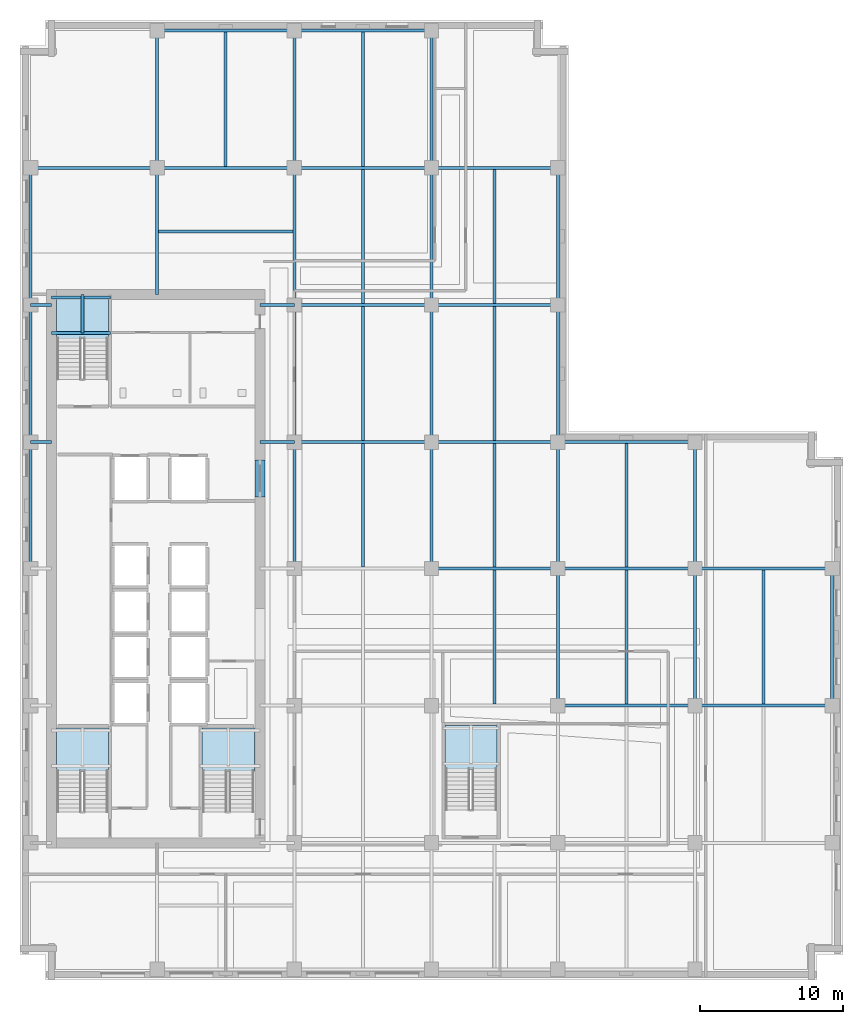
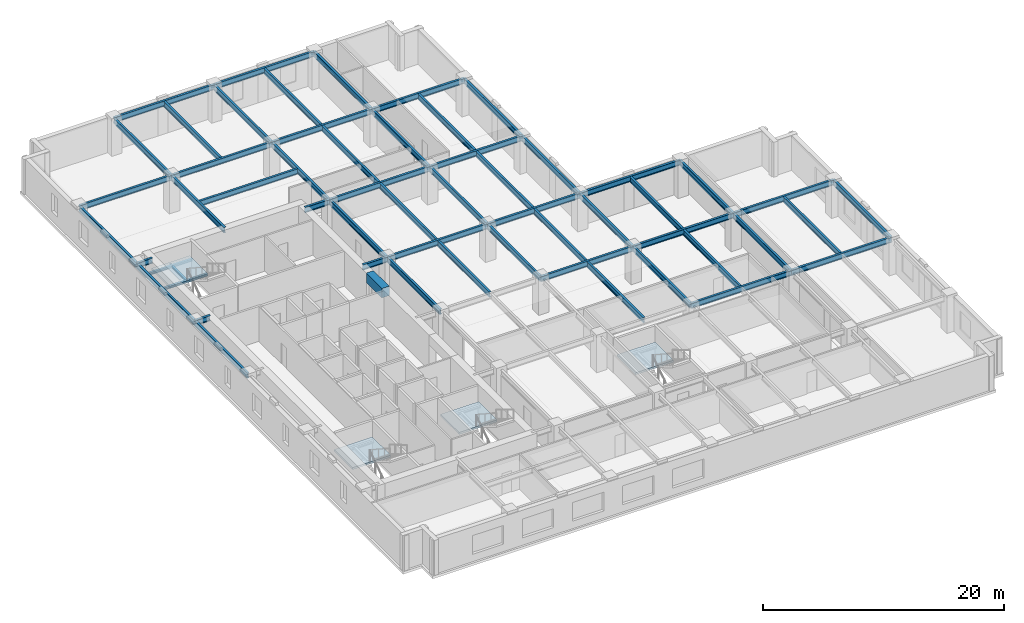
# One storey, part 2 of 12: 57 beams, 4 slabs, 4 elements without a shape of their own.
"""IFC4 building model written with IfcOpenShell, lengths in metres."""

from ifc_helpers import new_model, si_unit, direction, frame, origin, origin_2d, place, context, subcontext, project, spatial, polyline, rectangle, i_section, outline, extrude, material, layer, layer_set, material_profile, profile_set, type_object, element, aggregate, save


model = new_model("IFC4")

# Units and contexts
model_context = context("Model", 3, precision=1e-05, world=origin(), true_north=direction((0.0, 1.0)))
body_context = subcontext(model_context, "Body", "Model", "MODEL_VIEW")
ifc_project = project(units=[si_unit("LENGTHUNIT", "METRE"), si_unit("AREAUNIT", "SQUARE_METRE"), si_unit("VOLUMEUNIT", "CUBIC_METRE"), si_unit("PLANEANGLEUNIT", "RADIAN"), si_unit("MASSUNIT", "GRAM", prefix="KILO")], contexts=[model_context])

# Site, building, storey
site_placement = place(None, origin())
site = spatial("IfcSite", under=ifc_project, at=site_placement, CompositionType="ELEMENT")
building_placement = place(site_placement, origin())
building = spatial("IfcBuilding", under=site, at=building_placement, Name="Norrvale University Quadrangle", CompositionType="ELEMENT")
storey_placement = place(building_placement, frame((0.0, 0.0, 139.39990234375)))
storey = spatial("IfcBuildingStorey", under=building, at=storey_placement, Name="L35", CompositionType="ELEMENT", Elevation=139.39990234375)

# Beams
ifc_material_1 = material(Name="Concrete C80/95", Category="concrete")
ifc_material_profile_1 = material_profile(ifc_material_1, rectangle(XDim=0.699951171875, YDim=0.949951171875, at=origin_2d()), Name="Concrete C80/95")
ifc_profile_set_1 = profile_set([ifc_material_profile_1], Name="Concrete C80/95")
beam_type_1 = type_object("IfcBeamType", Name="Beam Core Link 700x950", PredefinedType="LINTEL", material=ifc_profile_set_1)
beam_1_placement = place(storey_placement, frame((16.800048828125, 33.800048828125, 3.065185546875), z_axis=(0.0, 1.0, 0.0), x_axis=(-1.0, 0.0, 0.0)))
element("IfcBeam", 1, at=beam_1_placement, inside=storey, type_object=beam_type_1, Name="Core Coupling Lintel Beam L35-2", PredefinedType="LINTEL", context=body_context, shape_type="SweptSolid", body=[
    extrude(rectangle(XDim=0.699951171875, YDim=0.949951171875, at=origin_2d()), origin(), (0.0, 0.0, 1.0), 2.599853515625),
])
ifc_material_2 = material(Name="Steel 350W", Category="steel")
ifc_material_profile_2 = material_profile(ifc_material_2, i_section(OverallWidth=0.2119140625, OverallDepth=0.5439453125, WebThickness=0.01318359375, FlangeThickness=0.021240234375, FilletRadius=0.013916015625, at=origin_2d()), Name="Steel 350W")
ifc_profile_set_2 = profile_set([ifc_material_profile_2], Name="Steel 350W")
beam_type_2 = type_object("IfcBeamType", Name="Beam Floor W530x123", PredefinedType="BEAM", material=ifc_profile_set_2)
for number, where, z_axis, x_axis, name in (
    (2, (37.64990234375, 19.199951171875, 3.26806640625), (1.0, 0.0, 0.0), (0.0, 1.0, 0.0), "Beam Floor W530x123 BM-L35-GX011"),
    (3, (47.25, 19.199951171875, 3.26806640625), (1.0, 0.0, 0.0), (0.0, 1.0, 0.0), "Beam Floor W530x123 BM-L35-GX012"),
):
    element("IfcBeam", number, at=place(storey_placement, frame(where, z_axis=z_axis, x_axis=x_axis)), inside=storey, type_object=beam_type_2, Name=name, PredefinedType="BEAM", context=body_context, shape_type="SweptSolid", body=[
        extrude(i_section(OverallWidth=0.2119140625, OverallDepth=0.5439453125, WebThickness=0.01318359375, FlangeThickness=0.021240234375, FilletRadius=0.013916015625, at=origin_2d()), origin(), (0.0, 0.0, 1.0), 9.60009765625),
    ])
beam_2_placement = place(storey_placement, frame((28.800048828125, 28.800048828125, 3.26806640625), z_axis=(1.0, 0.0, 0.0), x_axis=(0.0, 1.0, 0.0)))
element("IfcBeam", 4, at=beam_2_placement, inside=storey, type_object=beam_type_2, Name="Beam Floor W530x123 BM-L35-GX014", PredefinedType="BEAM", context=body_context, shape_type="SweptSolid", body=[
    extrude(i_section(OverallWidth=0.2119140625, OverallDepth=0.5439453125, WebThickness=0.01318359375, FlangeThickness=0.021240234375, FilletRadius=0.013916015625, at=origin_2d()), origin(), (0.0, 0.0, 1.0), 8.849853515625),
])
for number, where, z_axis, x_axis, name in (
    (5, (37.64990234375, 28.800048828125, 3.26806640625), (1.0, 0.0, 0.0), (0.0, 1.0, 0.0), "Beam Floor W530x123 BM-L35-GX015"),
    (6, (47.25, 28.800048828125, 3.26806640625), (1.0, 0.0, 0.0), (0.0, 1.0, 0.0), "Beam Floor W530x123 BM-L35-GX016"),
    (7, (19.199951171875, 37.64990234375, 3.26806640625), (1.0, 0.0, 0.0), (0.0, 1.0, 0.0), "Beam Floor W530x123 BM-L35-GX017"),
):
    element("IfcBeam", number, at=place(storey_placement, frame(where, z_axis=z_axis, x_axis=x_axis)), inside=storey, type_object=beam_type_2, Name=name, PredefinedType="BEAM", context=body_context, shape_type="SweptSolid", body=[
        extrude(i_section(OverallWidth=0.2119140625, OverallDepth=0.5439453125, WebThickness=0.01318359375, FlangeThickness=0.021240234375, FilletRadius=0.013916015625, at=origin_2d()), origin(), (0.0, 0.0, 1.0), 9.60009765625),
    ])
beam_3_placement = place(storey_placement, frame((28.800048828125, 37.64990234375, 3.26806640625), z_axis=(1.0, 0.0, 0.0), x_axis=(0.0, 1.0, 0.0)))
element("IfcBeam", 8, at=beam_3_placement, inside=storey, type_object=beam_type_2, Name="Beam Floor W530x123 BM-L35-GX018", PredefinedType="BEAM", context=body_context, shape_type="SweptSolid", body=[
    extrude(i_section(OverallWidth=0.2119140625, OverallDepth=0.5439453125, WebThickness=0.01318359375, FlangeThickness=0.021240234375, FilletRadius=0.013916015625, at=origin_2d()), origin(), (0.0, 0.0, 1.0), 8.849853515625),
])
for number, where, z_axis, x_axis, name in (
    (9, (37.64990234375, 37.64990234375, 3.26806640625), (1.0, 0.0, 0.0), (0.0, 1.0, 0.0), "Beam Floor W530x123 BM-L35-GX019"),
    (10, (19.199951171875, 47.25, 3.26806640625), (1.0, 0.0, 0.0), (0.0, 1.0, 0.0), "Beam Floor W530x123 BM-L35-GX020"),
):
    element("IfcBeam", number, at=place(storey_placement, frame(where, z_axis=z_axis, x_axis=x_axis)), inside=storey, type_object=beam_type_2, Name=name, PredefinedType="BEAM", context=body_context, shape_type="SweptSolid", body=[
        extrude(i_section(OverallWidth=0.2119140625, OverallDepth=0.5439453125, WebThickness=0.01318359375, FlangeThickness=0.021240234375, FilletRadius=0.013916015625, at=origin_2d()), origin(), (0.0, 0.0, 1.0), 9.60009765625),
    ])
beam_4_placement = place(storey_placement, frame((28.800048828125, 47.25, 3.26806640625), z_axis=(1.0, 0.0, 0.0), x_axis=(0.0, 1.0, 0.0)))
element("IfcBeam", 11, at=beam_4_placement, inside=storey, type_object=beam_type_2, Name="Beam Floor W530x123 BM-L35-GX021", PredefinedType="BEAM", context=body_context, shape_type="SweptSolid", body=[
    extrude(i_section(OverallWidth=0.2119140625, OverallDepth=0.5439453125, WebThickness=0.01318359375, FlangeThickness=0.021240234375, FilletRadius=0.013916015625, at=origin_2d()), origin(), (0.0, 0.0, 1.0), 8.849853515625),
])
beam_5_placement = place(storey_placement, frame((0.75, 56.85009765625, 3.26806640625), z_axis=(1.0, 0.0, 0.0), x_axis=(0.0, 1.0, 0.0)))
element("IfcBeam", 12, at=beam_5_placement, inside=storey, type_object=beam_type_2, Name="Beam Floor W530x123 BM-L35-GX022", PredefinedType="BEAM", context=body_context, shape_type="SweptSolid", body=[
    extrude(i_section(OverallWidth=0.2119140625, OverallDepth=0.5439453125, WebThickness=0.01318359375, FlangeThickness=0.021240234375, FilletRadius=0.013916015625, at=origin_2d()), origin(), (0.0, 0.0, 1.0), 8.85009765625),
])
beam_6_placement = place(storey_placement, frame((9.60009765625, 56.85009765625, 3.26806640625), z_axis=(1.0, 0.0, 0.0), x_axis=(0.0, 1.0, 0.0)))
element("IfcBeam", 13, at=beam_6_placement, inside=storey, type_object=beam_type_2, Name="Beam Floor W530x123 BM-L35-GX023", PredefinedType="BEAM", context=body_context, shape_type="SweptSolid", body=[
    extrude(i_section(OverallWidth=0.2119140625, OverallDepth=0.5439453125, WebThickness=0.01318359375, FlangeThickness=0.021240234375, FilletRadius=0.013916015625, at=origin_2d()), origin(), (0.0, 0.0, 1.0), 9.599853515625),
])
beam_7_placement = place(storey_placement, frame((19.199951171875, 56.85009765625, 3.26806640625), z_axis=(1.0, 0.0, 0.0), x_axis=(0.0, 1.0, 0.0)))
element("IfcBeam", 14, at=beam_7_placement, inside=storey, type_object=beam_type_2, Name="Beam Floor W530x123 BM-L35-GX024", PredefinedType="BEAM", context=body_context, shape_type="SweptSolid", body=[
    extrude(i_section(OverallWidth=0.2119140625, OverallDepth=0.5439453125, WebThickness=0.01318359375, FlangeThickness=0.021240234375, FilletRadius=0.013916015625, at=origin_2d()), origin(), (0.0, 0.0, 1.0), 9.60009765625),
])
beam_8_placement = place(storey_placement, frame((28.800048828125, 56.85009765625, 3.26806640625), z_axis=(1.0, 0.0, 0.0), x_axis=(0.0, 1.0, 0.0)))
element("IfcBeam", 15, at=beam_8_placement, inside=storey, type_object=beam_type_2, Name="Beam Floor W530x123 BM-L35-GX025", PredefinedType="BEAM", context=body_context, shape_type="SweptSolid", body=[
    extrude(i_section(OverallWidth=0.2119140625, OverallDepth=0.5439453125, WebThickness=0.01318359375, FlangeThickness=0.021240234375, FilletRadius=0.013916015625, at=origin_2d()), origin(), (0.0, 0.0, 1.0), 8.849853515625),
])
beam_9_placement = place(storey_placement, frame((9.60009765625, 66.449951171875, 3.26806640625), z_axis=(1.0, 0.0, 0.0), x_axis=(0.0, 1.0, 0.0)))
element("IfcBeam", 16, at=beam_9_placement, inside=storey, type_object=beam_type_2, Name="Beam Floor W530x123 BM-L35-GX026", PredefinedType="BEAM", context=body_context, shape_type="SweptSolid", body=[
    extrude(i_section(OverallWidth=0.2119140625, OverallDepth=0.5439453125, WebThickness=0.01318359375, FlangeThickness=0.021240234375, FilletRadius=0.013916015625, at=origin_2d()), origin(), (0.0, 0.0, 1.0), 9.599853515625),
])
beam_10_placement = place(storey_placement, frame((19.199951171875, 66.449951171875, 3.26806640625), z_axis=(1.0, 0.0, 0.0), x_axis=(0.0, 1.0, 0.0)))
element("IfcBeam", 17, at=beam_10_placement, inside=storey, type_object=beam_type_2, Name="Beam Floor W530x123 BM-L35-GX027", PredefinedType="BEAM", context=body_context, shape_type="SweptSolid", body=[
    extrude(i_section(OverallWidth=0.2119140625, OverallDepth=0.5439453125, WebThickness=0.01318359375, FlangeThickness=0.021240234375, FilletRadius=0.013916015625, at=origin_2d()), origin(), (0.0, 0.0, 1.0), 9.60009765625),
])
beam_11_placement = place(storey_placement, frame((0.75, 28.800048828125, 3.26806640625), z_axis=(0.0, 1.0, 0.0), x_axis=(-1.0, 0.0, 0.0)))
element("IfcBeam", 18, at=beam_11_placement, inside=storey, type_object=beam_type_2, Name="Beam Floor W530x123 BM-L35-GY030", PredefinedType="BEAM", context=body_context, shape_type="SweptSolid", body=[
    extrude(i_section(OverallWidth=0.2119140625, OverallDepth=0.5439453125, WebThickness=0.01318359375, FlangeThickness=0.021240234375, FilletRadius=0.013916015625, at=origin_2d()), origin(), (0.0, 0.0, 1.0), 8.849853515625),
])
for number, where, z_axis, x_axis, name in (
    (19, (0.75, 37.64990234375, 3.26806640625), (0.0, 1.0, 0.0), (-1.0, 0.0, 0.0), "Beam Floor W530x123 BM-L35-GY031"),
    (20, (0.75, 47.25, 3.26806640625), (0.0, 1.0, 0.0), (-1.0, 0.0, 0.0), "Beam Floor W530x123 BM-L35-GY032"),
):
    element("IfcBeam", number, at=place(storey_placement, frame(where, z_axis=z_axis, x_axis=x_axis)), inside=storey, type_object=beam_type_2, Name=name, PredefinedType="BEAM", context=body_context, shape_type="SweptSolid", body=[
        extrude(i_section(OverallWidth=0.2119140625, OverallDepth=0.5439453125, WebThickness=0.01318359375, FlangeThickness=0.021240234375, FilletRadius=0.013916015625, at=origin_2d()), origin(), (0.0, 0.0, 1.0), 9.60009765625),
    ])
beam_12_placement = place(storey_placement, frame((9.60009765625, 56.85009765625, 3.26806640625), z_axis=(0.0, 1.0, 0.0), x_axis=(-1.0, 0.0, 0.0)))
element("IfcBeam", 21, at=beam_12_placement, inside=storey, type_object=beam_type_2, Name="Beam Floor W530x123 BM-L35-GY033", PredefinedType="BEAM", context=body_context, shape_type="SweptSolid", body=[
    extrude(i_section(OverallWidth=0.2119140625, OverallDepth=0.5439453125, WebThickness=0.01318359375, FlangeThickness=0.021240234375, FilletRadius=0.013916015625, at=origin_2d()), origin(), (0.0, 0.0, 1.0), 9.599853515625),
])
beam_13_placement = place(storey_placement, frame((19.199951171875, 28.800048828125, 3.26806640625), z_axis=(0.0, 1.0, 0.0), x_axis=(-1.0, 0.0, 0.0)))
element("IfcBeam", 22, at=beam_13_placement, inside=storey, type_object=beam_type_2, Name="Beam Floor W530x123 BM-L35-GY037", PredefinedType="BEAM", context=body_context, shape_type="SweptSolid", body=[
    extrude(i_section(OverallWidth=0.2119140625, OverallDepth=0.5439453125, WebThickness=0.01318359375, FlangeThickness=0.021240234375, FilletRadius=0.013916015625, at=origin_2d()), origin(), (0.0, 0.0, 1.0), 8.849853515625),
])
for number, where, z_axis, x_axis, name in (
    (23, (19.199951171875, 37.64990234375, 3.26806640625), (0.0, 1.0, 0.0), (-1.0, 0.0, 0.0), "Beam Floor W530x123 BM-L35-GY038"),
    (24, (19.199951171875, 47.25, 3.26806640625), (0.0, 1.0, 0.0), (-1.0, 0.0, 0.0), "Beam Floor W530x123 BM-L35-GY039"),
):
    element("IfcBeam", number, at=place(storey_placement, frame(where, z_axis=z_axis, x_axis=x_axis)), inside=storey, type_object=beam_type_2, Name=name, PredefinedType="BEAM", context=body_context, shape_type="SweptSolid", body=[
        extrude(i_section(OverallWidth=0.2119140625, OverallDepth=0.5439453125, WebThickness=0.01318359375, FlangeThickness=0.021240234375, FilletRadius=0.013916015625, at=origin_2d()), origin(), (0.0, 0.0, 1.0), 9.60009765625),
    ])
beam_14_placement = place(storey_placement, frame((19.199951171875, 56.85009765625, 3.26806640625), z_axis=(0.0, 1.0, 0.0), x_axis=(-1.0, 0.0, 0.0)))
element("IfcBeam", 25, at=beam_14_placement, inside=storey, type_object=beam_type_2, Name="Beam Floor W530x123 BM-L35-GY040", PredefinedType="BEAM", context=body_context, shape_type="SweptSolid", body=[
    extrude(i_section(OverallWidth=0.2119140625, OverallDepth=0.5439453125, WebThickness=0.01318359375, FlangeThickness=0.021240234375, FilletRadius=0.013916015625, at=origin_2d()), origin(), (0.0, 0.0, 1.0), 9.599853515625),
])
beam_15_placement = place(storey_placement, frame((28.800048828125, 28.800048828125, 3.26806640625), z_axis=(0.0, 1.0, 0.0), x_axis=(-1.0, 0.0, 0.0)))
element("IfcBeam", 26, at=beam_15_placement, inside=storey, type_object=beam_type_2, Name="Beam Floor W530x123 BM-L35-GY044", PredefinedType="BEAM", context=body_context, shape_type="SweptSolid", body=[
    extrude(i_section(OverallWidth=0.2119140625, OverallDepth=0.5439453125, WebThickness=0.01318359375, FlangeThickness=0.021240234375, FilletRadius=0.013916015625, at=origin_2d()), origin(), (0.0, 0.0, 1.0), 8.849853515625),
])
for number, where, z_axis, x_axis, name in (
    (27, (28.800048828125, 37.64990234375, 3.26806640625), (0.0, 1.0, 0.0), (-1.0, 0.0, 0.0), "Beam Floor W530x123 BM-L35-GY045"),
    (28, (28.800048828125, 47.25, 3.26806640625), (0.0, 1.0, 0.0), (-1.0, 0.0, 0.0), "Beam Floor W530x123 BM-L35-GY046"),
):
    element("IfcBeam", number, at=place(storey_placement, frame(where, z_axis=z_axis, x_axis=x_axis)), inside=storey, type_object=beam_type_2, Name=name, PredefinedType="BEAM", context=body_context, shape_type="SweptSolid", body=[
        extrude(i_section(OverallWidth=0.2119140625, OverallDepth=0.5439453125, WebThickness=0.01318359375, FlangeThickness=0.021240234375, FilletRadius=0.013916015625, at=origin_2d()), origin(), (0.0, 0.0, 1.0), 9.60009765625),
    ])
beam_16_placement = place(storey_placement, frame((28.800048828125, 56.85009765625, 3.26806640625), z_axis=(0.0, 1.0, 0.0), x_axis=(-1.0, 0.0, 0.0)))
element("IfcBeam", 29, at=beam_16_placement, inside=storey, type_object=beam_type_2, Name="Beam Floor W530x123 BM-L35-GY047", PredefinedType="BEAM", context=body_context, shape_type="SweptSolid", body=[
    extrude(i_section(OverallWidth=0.2119140625, OverallDepth=0.5439453125, WebThickness=0.01318359375, FlangeThickness=0.021240234375, FilletRadius=0.013916015625, at=origin_2d()), origin(), (0.0, 0.0, 1.0), 9.599853515625),
])
beam_17_placement = place(storey_placement, frame((37.64990234375, 19.199951171875, 3.26806640625), z_axis=(0.0, 1.0, 0.0), x_axis=(-1.0, 0.0, 0.0)))
element("IfcBeam", 30, at=beam_17_placement, inside=storey, type_object=beam_type_2, Name="Beam Floor W530x123 BM-L35-GY050", PredefinedType="BEAM", context=body_context, shape_type="SweptSolid", body=[
    extrude(i_section(OverallWidth=0.2119140625, OverallDepth=0.5439453125, WebThickness=0.01318359375, FlangeThickness=0.021240234375, FilletRadius=0.013916015625, at=origin_2d()), origin(), (0.0, 0.0, 1.0), 9.60009765625),
])
beam_18_placement = place(storey_placement, frame((37.64990234375, 28.800048828125, 3.26806640625), z_axis=(0.0, 1.0, 0.0), x_axis=(-1.0, 0.0, 0.0)))
element("IfcBeam", 31, at=beam_18_placement, inside=storey, type_object=beam_type_2, Name="Beam Floor W530x123 BM-L35-GY051", PredefinedType="BEAM", context=body_context, shape_type="SweptSolid", body=[
    extrude(i_section(OverallWidth=0.2119140625, OverallDepth=0.5439453125, WebThickness=0.01318359375, FlangeThickness=0.021240234375, FilletRadius=0.013916015625, at=origin_2d()), origin(), (0.0, 0.0, 1.0), 8.849853515625),
])
for number, where, z_axis, x_axis, name in (
    (32, (37.64990234375, 37.64990234375, 3.26806640625), (0.0, 1.0, 0.0), (-1.0, 0.0, 0.0), "Beam Floor W530x123 BM-L35-GY052"),
    (33, (37.64990234375, 47.25, 3.26806640625), (0.0, 1.0, 0.0), (-1.0, 0.0, 0.0), "Beam Floor W530x123 BM-L35-GY053"),
    (34, (47.25, 19.199951171875, 3.26806640625), (0.0, 1.0, 0.0), (-1.0, 0.0, 0.0), "Beam Floor W530x123 BM-L35-GY056"),
):
    element("IfcBeam", number, at=place(storey_placement, frame(where, z_axis=z_axis, x_axis=x_axis)), inside=storey, type_object=beam_type_2, Name=name, PredefinedType="BEAM", context=body_context, shape_type="SweptSolid", body=[
        extrude(i_section(OverallWidth=0.2119140625, OverallDepth=0.5439453125, WebThickness=0.01318359375, FlangeThickness=0.021240234375, FilletRadius=0.013916015625, at=origin_2d()), origin(), (0.0, 0.0, 1.0), 9.60009765625),
    ])
beam_19_placement = place(storey_placement, frame((47.25, 28.800048828125, 3.26806640625), z_axis=(0.0, 1.0, 0.0), x_axis=(-1.0, 0.0, 0.0)))
element("IfcBeam", 35, at=beam_19_placement, inside=storey, type_object=beam_type_2, Name="Beam Floor W530x123 BM-L35-GY057", PredefinedType="BEAM", context=body_context, shape_type="SweptSolid", body=[
    extrude(i_section(OverallWidth=0.2119140625, OverallDepth=0.5439453125, WebThickness=0.01318359375, FlangeThickness=0.021240234375, FilletRadius=0.013916015625, at=origin_2d()), origin(), (0.0, 0.0, 1.0), 8.849853515625),
])
beam_20_placement = place(storey_placement, frame((56.85009765625, 19.199951171875, 3.26806640625), z_axis=(0.0, 1.0, 0.0), x_axis=(-1.0, 0.0, 0.0)))
element("IfcBeam", 36, at=beam_20_placement, inside=storey, type_object=beam_type_2, Name="Beam Floor W530x123 BM-L35-GY059", PredefinedType="BEAM", context=body_context, shape_type="SweptSolid", body=[
    extrude(i_section(OverallWidth=0.2119140625, OverallDepth=0.5439453125, WebThickness=0.01318359375, FlangeThickness=0.021240234375, FilletRadius=0.013916015625, at=origin_2d()), origin(), (0.0, 0.0, 1.0), 9.60009765625),
])
beam_21_placement = place(storey_placement, frame((0.75, 37.64990234375, 3.26806640625), z_axis=(1.0, 0.0, 0.0), x_axis=(0.0, 1.0, 0.0)))
element("IfcBeam", 37, at=beam_21_placement, inside=storey, type_object=beam_type_2, Name="Beam Floor W530x123 BM-L35-GCW066", PredefinedType="BEAM", context=body_context, shape_type="SweptSolid", body=[
    extrude(i_section(OverallWidth=0.2119140625, OverallDepth=0.5439453125, WebThickness=0.01318359375, FlangeThickness=0.021240234375, FilletRadius=0.013916015625, at=origin_2d()), origin(), (0.0, 0.0, 1.0), 1.449951171875),
])
beam_22_placement = place(storey_placement, frame((16.800048828125, 37.64990234375, 3.26806640625), z_axis=(1.0, 0.0, 0.0), x_axis=(0.0, 1.0, 0.0)))
element("IfcBeam", 38, at=beam_22_placement, inside=storey, type_object=beam_type_2, Name="Beam Floor W530x123 BM-L35-GCE067", PredefinedType="BEAM", context=body_context, shape_type="SweptSolid", body=[
    extrude(i_section(OverallWidth=0.2119140625, OverallDepth=0.5439453125, WebThickness=0.01318359375, FlangeThickness=0.021240234375, FilletRadius=0.013916015625, at=origin_2d()), origin(), (0.0, 0.0, 1.0), 2.39990234375),
])
beam_23_placement = place(storey_placement, frame((0.75, 47.25, 3.26806640625), z_axis=(1.0, 0.0, 0.0), x_axis=(0.0, 1.0, 0.0)))
element("IfcBeam", 39, at=beam_23_placement, inside=storey, type_object=beam_type_2, Name="Beam Floor W530x123 BM-L35-GCW068", PredefinedType="BEAM", context=body_context, shape_type="SweptSolid", body=[
    extrude(i_section(OverallWidth=0.2119140625, OverallDepth=0.5439453125, WebThickness=0.01318359375, FlangeThickness=0.021240234375, FilletRadius=0.013916015625, at=origin_2d()), origin(), (0.0, 0.0, 1.0), 1.449951171875),
])
beam_24_placement = place(storey_placement, frame((16.800048828125, 47.25, 3.26806640625), z_axis=(1.0, 0.0, 0.0), x_axis=(0.0, 1.0, 0.0)))
element("IfcBeam", 40, at=beam_24_placement, inside=storey, type_object=beam_type_2, Name="Beam Floor W530x123 BM-L35-GCE069", PredefinedType="BEAM", context=body_context, shape_type="SweptSolid", body=[
    extrude(i_section(OverallWidth=0.2119140625, OverallDepth=0.5439453125, WebThickness=0.01318359375, FlangeThickness=0.021240234375, FilletRadius=0.013916015625, at=origin_2d()), origin(), (0.0, 0.0, 1.0), 2.39990234375),
])
beam_25_placement = place(storey_placement, frame((9.60009765625, 48.0, 3.26806640625), z_axis=(0.0, 1.0, 0.0), x_axis=(-1.0, 0.0, 0.0)))
element("IfcBeam", 41, at=beam_25_placement, inside=storey, type_object=beam_type_2, Name="Beam Floor W530x123 BM-L35-GCN091", PredefinedType="BEAM", context=body_context, shape_type="SweptSolid", body=[
    extrude(i_section(OverallWidth=0.2119140625, OverallDepth=0.5439453125, WebThickness=0.01318359375, FlangeThickness=0.021240234375, FilletRadius=0.013916015625, at=origin_2d()), origin(), (0.0, 0.0, 1.0), 8.85009765625),
])
ifc_material_profile_3 = material_profile(ifc_material_2, i_section(OverallWidth=0.208984375, OverallDepth=0.532958984375, WebThickness=0.01025390625, FlangeThickness=0.015625, FilletRadius=0.013916015625, at=origin_2d()), Name="Steel 350W")
ifc_profile_set_3 = profile_set([ifc_material_profile_3], Name="Steel 350W")
beam_type_3 = type_object("IfcBeamType", Name="Beam Floor W530x92", PredefinedType="JOIST", material=ifc_profile_set_3)
beam_26_placement = place(storey_placement, frame((14.39990234375, 56.9560546875, 3.273681640625), z_axis=(0.0, 1.0, 0.0), x_axis=(-1.0, 0.0, 0.0)))
element("IfcBeam", 42, at=beam_26_placement, inside=storey, type_object=beam_type_3, Name="Beam Floor W530x92 BM-L35-J070", PredefinedType="JOIST", context=body_context, shape_type="SweptSolid", body=[
    extrude(i_section(OverallWidth=0.208984375, OverallDepth=0.532958984375, WebThickness=0.01025390625, FlangeThickness=0.015625, FilletRadius=0.013916015625, at=origin_2d()), origin(), (0.0, 0.0, 1.0), 9.387939453125),
])
beam_27_placement = place(storey_placement, frame((24.0, 28.906005859375, 3.273681640625), z_axis=(0.0, 1.0, 0.0), x_axis=(-1.0, 0.0, 0.0)))
element("IfcBeam", 43, at=beam_27_placement, inside=storey, type_object=beam_type_3, Name="Beam Floor W530x92 BM-L35-J074", PredefinedType="JOIST", context=body_context, shape_type="SweptSolid", body=[
    extrude(i_section(OverallWidth=0.208984375, OverallDepth=0.532958984375, WebThickness=0.01025390625, FlangeThickness=0.015625, FilletRadius=0.013916015625, at=origin_2d()), origin(), (0.0, 0.0, 1.0), 8.637939453125),
])
for number, where, z_axis, x_axis, name in (
    (44, (24.0, 37.756103515625, 3.273681640625), (0.0, 1.0, 0.0), (-1.0, 0.0, 0.0), "Beam Floor W530x92 BM-L35-J075"),
    (45, (24.0, 47.35595703125, 3.273681640625), (0.0, 1.0, 0.0), (-1.0, 0.0, 0.0), "Beam Floor W530x92 BM-L35-J076"),
    (46, (24.0, 56.9560546875, 3.273681640625), (0.0, 1.0, 0.0), (-1.0, 0.0, 0.0), "Beam Floor W530x92 BM-L35-J077"),
):
    element("IfcBeam", number, at=place(storey_placement, frame(where, z_axis=z_axis, x_axis=x_axis)), inside=storey, type_object=beam_type_3, Name=name, PredefinedType="JOIST", context=body_context, shape_type="SweptSolid", body=[
        extrude(i_section(OverallWidth=0.208984375, OverallDepth=0.532958984375, WebThickness=0.01025390625, FlangeThickness=0.015625, FilletRadius=0.013916015625, at=origin_2d()), origin(), (0.0, 0.0, 1.0), 9.387939453125),
    ])
beam_28_placement = place(storey_placement, frame((33.22509765625, 19.305908203125, 3.273681640625), z_axis=(0.0, 1.0, 0.0), x_axis=(-1.0, 0.0, 0.0)))
element("IfcBeam", 47, at=beam_28_placement, inside=storey, type_object=beam_type_3, Name="Beam Floor W530x92 BM-L35-J079", PredefinedType="JOIST", context=body_context, shape_type="SweptSolid", body=[
    extrude(i_section(OverallWidth=0.208984375, OverallDepth=0.532958984375, WebThickness=0.01025390625, FlangeThickness=0.015625, FilletRadius=0.013916015625, at=origin_2d()), origin(), (0.0, 0.0, 1.0), 9.38818359375),
])
beam_29_placement = place(storey_placement, frame((33.22509765625, 28.906005859375, 3.273681640625), z_axis=(0.0, 1.0, 0.0), x_axis=(-1.0, 0.0, 0.0)))
element("IfcBeam", 48, at=beam_29_placement, inside=storey, type_object=beam_type_3, Name="Beam Floor W530x92 BM-L35-J080", PredefinedType="JOIST", context=body_context, shape_type="SweptSolid", body=[
    extrude(i_section(OverallWidth=0.208984375, OverallDepth=0.532958984375, WebThickness=0.01025390625, FlangeThickness=0.015625, FilletRadius=0.013916015625, at=origin_2d()), origin(), (0.0, 0.0, 1.0), 8.637939453125),
])
for number, where, z_axis, x_axis, name in (
    (49, (33.22509765625, 37.756103515625, 3.273681640625), (0.0, 1.0, 0.0), (-1.0, 0.0, 0.0), "Beam Floor W530x92 BM-L35-J081"),
    (50, (33.22509765625, 47.35595703125, 3.273681640625), (0.0, 1.0, 0.0), (-1.0, 0.0, 0.0), "Beam Floor W530x92 BM-L35-J082"),
):
    element("IfcBeam", number, at=place(storey_placement, frame(where, z_axis=z_axis, x_axis=x_axis)), inside=storey, type_object=beam_type_3, Name=name, PredefinedType="JOIST", context=body_context, shape_type="SweptSolid", body=[
        extrude(i_section(OverallWidth=0.208984375, OverallDepth=0.532958984375, WebThickness=0.01025390625, FlangeThickness=0.015625, FilletRadius=0.013916015625, at=origin_2d()), origin(), (0.0, 0.0, 1.0), 9.387939453125),
    ])
beam_30_placement = place(storey_placement, frame((42.449951171875, 19.305908203125, 3.273681640625), z_axis=(0.0, 1.0, 0.0), x_axis=(-1.0, 0.0, 0.0)))
element("IfcBeam", 51, at=beam_30_placement, inside=storey, type_object=beam_type_3, Name="Beam Floor W530x92 BM-L35-J085", PredefinedType="JOIST", context=body_context, shape_type="SweptSolid", body=[
    extrude(i_section(OverallWidth=0.208984375, OverallDepth=0.532958984375, WebThickness=0.01025390625, FlangeThickness=0.015625, FilletRadius=0.013916015625, at=origin_2d()), origin(), (0.0, 0.0, 1.0), 9.38818359375),
])
beam_31_placement = place(storey_placement, frame((42.449951171875, 28.906005859375, 3.273681640625), z_axis=(0.0, 1.0, 0.0), x_axis=(-1.0, 0.0, 0.0)))
element("IfcBeam", 52, at=beam_31_placement, inside=storey, type_object=beam_type_3, Name="Beam Floor W530x92 BM-L35-J086", PredefinedType="JOIST", context=body_context, shape_type="SweptSolid", body=[
    extrude(i_section(OverallWidth=0.208984375, OverallDepth=0.532958984375, WebThickness=0.01025390625, FlangeThickness=0.015625, FilletRadius=0.013916015625, at=origin_2d()), origin(), (0.0, 0.0, 1.0), 8.637939453125),
])
beam_32_placement = place(storey_placement, frame((52.050048828125, 19.305908203125, 3.273681640625), z_axis=(0.0, 1.0, 0.0), x_axis=(-1.0, 0.0, 0.0)))
element("IfcBeam", 53, at=beam_32_placement, inside=storey, type_object=beam_type_3, Name="Beam Floor W530x92 BM-L35-J088", PredefinedType="JOIST", context=body_context, shape_type="SweptSolid", body=[
    extrude(i_section(OverallWidth=0.208984375, OverallDepth=0.532958984375, WebThickness=0.01025390625, FlangeThickness=0.015625, FilletRadius=0.013916015625, at=origin_2d()), origin(), (0.0, 0.0, 1.0), 9.38818359375),
])
beam_33_placement = place(storey_placement, frame((9.7060546875, 52.39990234375, 3.273681640625), z_axis=(1.0, 0.0, 0.0), x_axis=(0.0, 1.0, 0.0)))
element("IfcBeam", 54, at=beam_33_placement, inside=storey, type_object=beam_type_3, Name="Beam Floor W530x92 BM-L35-JCN092", PredefinedType="JOIST", context=body_context, shape_type="SweptSolid", body=[
    extrude(i_section(OverallWidth=0.208984375, OverallDepth=0.532958984375, WebThickness=0.01025390625, FlangeThickness=0.015625, FilletRadius=0.013916015625, at=origin_2d()), origin(), (0.0, 0.0, 1.0), 9.387939453125),
])
ifc_material_profile_4 = material_profile(ifc_material_2, i_section(OverallWidth=0.201904296875, OverallDepth=0.2470703125, WebThickness=0.00732421875, FlangeThickness=0.010986328125, FilletRadius=0.011962890625, at=origin_2d()), Name="Steel 350W")
ifc_profile_set_4 = profile_set([ifc_material_profile_4], Name="Steel 350W")
beam_type_4 = type_object("IfcBeamType", Name="Beam Stair W250x49", PredefinedType="BEAM", material=ifc_profile_set_4)
for number, where, z_axis, x_axis, name in (
    (55, (2.199951171875, 45.2900390625, 1.57666015625), (1.0, 0.0, 0.0), (0.0, 1.0, 0.0), "Stair Mid-Landing Front Beam ST-02 L35"),
    (56, (2.199951171875, 47.77001953125, 1.57666015625), (1.0, 0.0, 0.0), (0.0, 1.0, 0.0), "Stair Mid-Landing Rear Beam ST-02 L35"),
):
    element("IfcBeam", number, at=place(storey_placement, frame(where, z_axis=z_axis, x_axis=x_axis)), inside=storey, type_object=beam_type_4, Name=name, PredefinedType="BEAM", context=body_context, shape_type="SweptSolid", body=[
        extrude(i_section(OverallWidth=0.201904296875, OverallDepth=0.2470703125, WebThickness=0.00732421875, FlangeThickness=0.010986328125, FilletRadius=0.011962890625, at=origin_2d()), origin(), (0.0, 0.0, 1.0), 4.14013671875),
    ])
ifc_material_profile_5 = material_profile(ifc_material_2, i_section(OverallWidth=0.202880859375, OverallDepth=0.202880859375, WebThickness=0.007080078125, FlangeThickness=0.010986328125, FilletRadius=0.010009765625, at=origin_2d()), Name="Steel 350W")
ifc_profile_set_5 = profile_set([ifc_material_profile_5], Name="Steel 350W")
beam_type_5 = type_object("IfcBeamType", Name="Beam Trim W200x46", PredefinedType="BEAM", material=ifc_profile_set_5)
beam_34_placement = place(storey_placement, frame((4.375, 45.2900390625, 1.5986328125), z_axis=(0.0, 1.0, 0.0), x_axis=(-1.0, 0.0, 0.0)))
element("IfcBeam", 57, at=beam_34_placement, inside=storey, type_object=beam_type_5, Name="Stair Mid-Landing Cross Beam ST-02 L35", PredefinedType="BEAM", context=body_context, shape_type="SweptSolid", body=[
    extrude(i_section(OverallWidth=0.202880859375, OverallDepth=0.202880859375, WebThickness=0.007080078125, FlangeThickness=0.010986328125, FilletRadius=0.010009765625, at=origin_2d()), origin(), (0.0, 0.0, 1.0), 2.7099609375),
])

# Stair, slab
ifc_material_3 = material(Name="Concrete C40/50", Category="concrete")
stair_type = type_object("IfcStairType", Name="Stair Tower Typ 3800", PredefinedType="TWO_STRAIGHT_RUN_STAIR", material=ifc_material_3)
stair_1_placement = place(storey_placement, origin())
stair_1 = element("IfcStair", 58, at=stair_1_placement, inside=storey, type_object=stair_type, Name="Exit Stair ST-01 L35", PredefinedType="TWO_STRAIGHT_RUN_STAIR")
ifc_layer = layer(ifc_material_3, 0.199951171875, Name="Concrete C40/50")
ifc_layer_set = layer_set([ifc_layer], Name="Concrete C40/50")
slab_type = type_object("IfcSlabType", Name="Slab Landing 200", PredefinedType="LANDING", material=ifc_layer_set)
slab_1_placement = place(storey_placement, frame((0.0, 0.0, 1.7001953125)))
slab_1 = element("IfcSlab", 59, at=slab_1_placement, type_object=slab_type, Name="Exit Stair ST-01 L35 Mid Landing", PredefinedType="LANDING", context=body_context, shape_type="SweptSolid", body=[
    extrude(outline(polyline([(2.550048828125, 14.590087890625), (6.199951171875, 14.590087890625), (6.199951171875, 17.64990234375), (2.550048828125, 17.64990234375), (2.550048828125, 14.590087890625)])), origin(), (0.0, 0.0, 1.0), 0.199951171875),
])
aggregate(stair_1, [slab_1])

stair_2_placement = place(storey_placement, origin())
stair_2 = element("IfcStair", 60, at=stair_2_placement, inside=storey, type_object=stair_type, Name="Exit Stair ST-02 L35", PredefinedType="TWO_STRAIGHT_RUN_STAIR")
slab_2_placement = place(storey_placement, frame((0.0, 0.0, 1.7001953125)))
slab_2 = element("IfcSlab", 61, at=slab_2_placement, type_object=slab_type, Name="Exit Stair ST-02 L35 Mid Landing", PredefinedType="LANDING", context=body_context, shape_type="SweptSolid", body=[
    extrude(outline(polyline([(2.550048828125, 44.889892578125), (6.199951171875, 44.889892578125), (6.199951171875, 47.949951171875), (2.550048828125, 47.949951171875), (2.550048828125, 44.889892578125)])), origin(), (0.0, 0.0, 1.0), 0.199951171875),
])
aggregate(stair_2, [slab_2])

stair_3_placement = place(storey_placement, origin())
stair_3 = element("IfcStair", 62, at=stair_3_placement, inside=storey, type_object=stair_type, Name="Exit Stair ST-03 L35", PredefinedType="TWO_STRAIGHT_RUN_STAIR")
slab_3_placement = place(storey_placement, frame((0.0, 0.0, 1.7001953125)))
slab_3 = element("IfcSlab", 63, at=slab_3_placement, type_object=slab_type, Name="Exit Stair ST-03 L35 Mid Landing", PredefinedType="LANDING", context=body_context, shape_type="SweptSolid", body=[
    extrude(outline(polyline([(12.75, 14.590087890625), (16.39990234375, 14.590087890625), (16.39990234375, 17.64990234375), (12.75, 17.64990234375), (12.75, 14.590087890625)])), origin(), (0.0, 0.0, 1.0), 0.199951171875),
])
aggregate(stair_3, [slab_3])

stair_4_placement = place(storey_placement, origin())
stair_4 = element("IfcStair", 64, at=stair_4_placement, inside=storey, type_object=stair_type, Name="Exit Stair ST-04 L35", PredefinedType="TWO_STRAIGHT_RUN_STAIR")
slab_4_placement = place(storey_placement, frame((0.0, 0.0, 1.7001953125)))
slab_4 = element("IfcSlab", 65, at=slab_4_placement, type_object=slab_type, Name="Exit Stair ST-04 L35 Mid Landing", PredefinedType="LANDING", context=body_context, shape_type="SweptSolid", body=[
    extrude(outline(polyline([(29.75, 14.739990234375), (33.39990234375, 14.739990234375), (33.39990234375, 17.800048828125), (29.75, 17.800048828125), (29.75, 14.739990234375)])), origin(), (0.0, 0.0, 1.0), 0.199951171875),
])
aggregate(stair_4, [slab_4])

save(model, "model.ifc")
